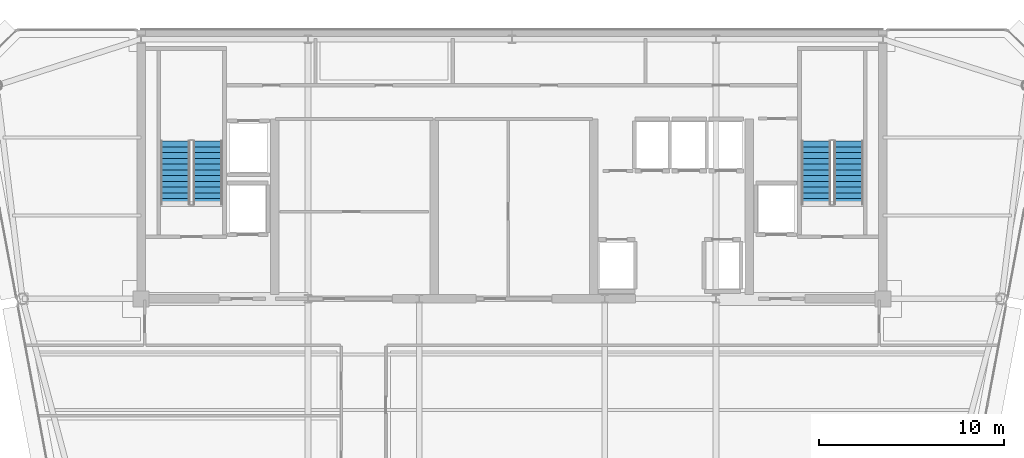
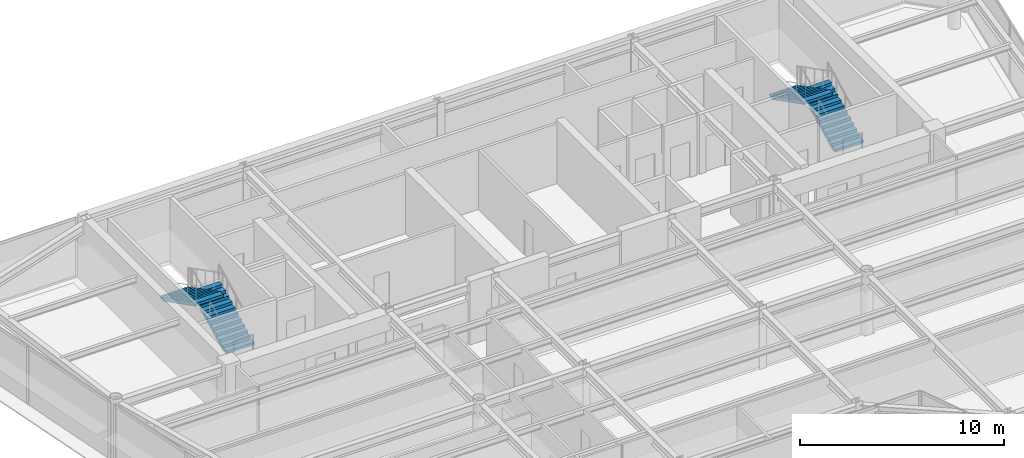
# One storey, part 13 of 20: 4 stair flights, 2 elements without a shape of their own.
"""IFC4 building model written with IfcOpenShell, lengths in metres."""

from ifc_helpers import new_model, si_unit, direction, frame, origin, place, context, subcontext, project, spatial, polyline, outline, extrude, material, type_object, element, aggregate, save


model = new_model("IFC4")

# Units and contexts
model_context = context("Model", 3, precision=1e-05, world=origin(), true_north=direction((0.0, 1.0)))
body_context = subcontext(model_context, "Body", "Model", "MODEL_VIEW")
ifc_project = project(units=[si_unit("LENGTHUNIT", "METRE"), si_unit("AREAUNIT", "SQUARE_METRE"), si_unit("VOLUMEUNIT", "CUBIC_METRE"), si_unit("PLANEANGLEUNIT", "RADIAN"), si_unit("MASSUNIT", "GRAM", prefix="KILO")], contexts=[model_context])

# Site, building, storey
site_placement = place(None, origin())
site = spatial("IfcSite", under=ifc_project, at=site_placement, CompositionType="ELEMENT")
building_placement = place(site_placement, origin())
building = spatial("IfcBuilding", under=site, at=building_placement, Name="Vaeldorn Concourse Tower", CompositionType="ELEMENT")
storey_placement = place(building_placement, frame((0.0, 0.0, 268.800048828125)))
storey = spatial("IfcBuildingStorey", under=building, at=storey_placement, Name="L69", CompositionType="ELEMENT", Elevation=268.800048828125)

# Stair, stair flights
ifc_material = material(Name="Precast concrete C40/50", Category="concrete")
stair_type = type_object("IfcStairType", Name="STR-DOG-24x158", PredefinedType="HALF_TURN_STAIR", material=ifc_material)
stair_1_placement = place(storey_placement, origin())
stair_1 = element("IfcStair", 1, at=stair_1_placement, inside=storey, type_object=stair_type, Name="L69 West Core Exit Stair ST-1", PredefinedType="HALF_TURN_STAIR")
stair_flight_type = type_object("IfcStairFlightType", Name="STF-STR-12x158", PredefinedType="STRAIGHT", material=ifc_material)
stair_flight_1_placement = place(storey_placement, frame((17.60009765625, 41.60009765625, 0.0), z_axis=(0.0, 0.0, 1.0), x_axis=(0.0, 1.0, 0.0)))
stair_flight_1 = element("IfcStairFlight", 2, at=stair_flight_1_placement, type_object=stair_flight_type, Name="ST-1 flight 1", NumberOfRisers=12, NumberOfTreads=11, PredefinedType="STRAIGHT", RiserHeight=0.158333333, TreadLength=0.31, context=body_context, shape_type="SweptSolid", body=[
    extrude(outline(polyline([(0.0, 0.0), (0.0, 0.158447265625), (0.31005859375, 0.158447265625), (0.31005859375, 0.316650390625), (0.6201171875, 0.316650390625), (0.6201171875, 0.47509765625), (0.929931640625, 0.47509765625), (0.929931640625, 0.63330078125), (1.239990234375, 0.63330078125), (1.239990234375, 0.791748046875), (1.550048828125, 0.791748046875), (1.550048828125, 0.949951171875), (1.860107421875, 0.949951171875), (1.860107421875, 1.1083984375), (2.169921875, 1.1083984375), (2.169921875, 1.2666015625), (2.47998046875, 1.2666015625), (2.47998046875, 1.425048828125), (2.7900390625, 1.425048828125), (2.7900390625, 1.583251953125), (3.10009765625, 1.583251953125), (3.10009765625, 1.74169921875), (3.409912109375, 1.74169921875), (3.409912109375, 1.89990234375), (3.409912109375, 1.5732421875), (0.32958984375, 0.0), (0.0, 0.0)])), frame((0.0, 0.800048828125, 0.0), z_axis=(0.0, -1.0, 0.0), x_axis=(1.0, 0.0, 0.0)), (0.0, 0.0, 1.0), 1.60009765625),
])
stair_flight_2_placement = place(storey_placement, frame((15.85009765625, 45.010009765625, 1.89990234375), z_axis=(0.0, 0.0, 1.0), x_axis=(0.0, -1.0, 0.0)))
stair_flight_2 = element("IfcStairFlight", 3, at=stair_flight_2_placement, type_object=stair_flight_type, Name="ST-1 flight 2", NumberOfRisers=12, NumberOfTreads=11, PredefinedType="STRAIGHT", RiserHeight=0.158333333, TreadLength=0.31, context=body_context, shape_type="SweptSolid", body=[
    extrude(outline(polyline([(0.0, 0.0), (0.0, 0.158447265625), (0.31005859375, 0.158447265625), (0.31005859375, 0.316650390625), (0.6201171875, 0.316650390625), (0.6201171875, 0.47509765625), (0.929931640625, 0.47509765625), (0.929931640625, 0.63330078125), (1.239990234375, 0.63330078125), (1.239990234375, 0.791748046875), (1.550048828125, 0.791748046875), (1.550048828125, 0.949951171875), (1.860107421875, 0.949951171875), (1.860107421875, 1.1083984375), (2.169921875, 1.1083984375), (2.169921875, 1.2666015625), (2.47998046875, 1.2666015625), (2.47998046875, 1.425048828125), (2.7900390625, 1.425048828125), (2.7900390625, 1.583251953125), (3.10009765625, 1.583251953125), (3.10009765625, 1.74169921875), (3.409912109375, 1.74169921875), (3.409912109375, 1.89990234375), (3.409912109375, 1.5732421875), (0.32958984375, 0.0), (0.0, 0.0)])), frame((0.0, 0.800048828125, 0.0), z_axis=(0.0, -1.0, 0.0), x_axis=(1.0, 0.0, 0.0)), (0.0, 0.0, 1.0), 1.60009765625),
])
aggregate(stair_1, [stair_flight_1, stair_flight_2])

stair_2_placement = place(storey_placement, origin())
stair_2 = element("IfcStair", 4, at=stair_2_placement, inside=storey, type_object=stair_type, Name="L69 East Core Exit Stair ST-2", PredefinedType="HALF_TURN_STAIR")
stair_flight_3_placement = place(storey_placement, frame((52.14990234375, 41.60009765625, 0.0), z_axis=(0.0, 0.0, 1.0), x_axis=(0.0, 1.0, 0.0)))
stair_flight_3 = element("IfcStairFlight", 5, at=stair_flight_3_placement, type_object=stair_flight_type, Name="ST-2 flight 1", NumberOfRisers=12, NumberOfTreads=11, PredefinedType="STRAIGHT", RiserHeight=0.158333333, TreadLength=0.31, context=body_context, shape_type="SweptSolid", body=[
    extrude(outline(polyline([(0.0, 0.0), (0.0, 0.158447265625), (0.31005859375, 0.158447265625), (0.31005859375, 0.316650390625), (0.6201171875, 0.316650390625), (0.6201171875, 0.47509765625), (0.929931640625, 0.47509765625), (0.929931640625, 0.63330078125), (1.239990234375, 0.63330078125), (1.239990234375, 0.791748046875), (1.550048828125, 0.791748046875), (1.550048828125, 0.949951171875), (1.860107421875, 0.949951171875), (1.860107421875, 1.1083984375), (2.169921875, 1.1083984375), (2.169921875, 1.2666015625), (2.47998046875, 1.2666015625), (2.47998046875, 1.425048828125), (2.7900390625, 1.425048828125), (2.7900390625, 1.583251953125), (3.10009765625, 1.583251953125), (3.10009765625, 1.74169921875), (3.409912109375, 1.74169921875), (3.409912109375, 1.89990234375), (3.409912109375, 1.5732421875), (0.32958984375, 0.0), (0.0, 0.0)])), frame((0.0, 0.800048828125, 0.0), z_axis=(0.0, -1.0, 0.0), x_axis=(1.0, 0.0, 0.0)), (0.0, 0.0, 1.0), 1.60009765625),
])
stair_flight_4_placement = place(storey_placement, frame((50.39990234375, 45.010009765625, 1.89990234375), z_axis=(0.0, 0.0, 1.0), x_axis=(0.0, -1.0, 0.0)))
stair_flight_4 = element("IfcStairFlight", 6, at=stair_flight_4_placement, type_object=stair_flight_type, Name="ST-2 flight 2", NumberOfRisers=12, NumberOfTreads=11, PredefinedType="STRAIGHT", RiserHeight=0.158333333, TreadLength=0.31, context=body_context, shape_type="SweptSolid", body=[
    extrude(outline(polyline([(0.0, 0.0), (0.0, 0.158447265625), (0.31005859375, 0.158447265625), (0.31005859375, 0.316650390625), (0.6201171875, 0.316650390625), (0.6201171875, 0.47509765625), (0.929931640625, 0.47509765625), (0.929931640625, 0.63330078125), (1.239990234375, 0.63330078125), (1.239990234375, 0.791748046875), (1.550048828125, 0.791748046875), (1.550048828125, 0.949951171875), (1.860107421875, 0.949951171875), (1.860107421875, 1.1083984375), (2.169921875, 1.1083984375), (2.169921875, 1.2666015625), (2.47998046875, 1.2666015625), (2.47998046875, 1.425048828125), (2.7900390625, 1.425048828125), (2.7900390625, 1.583251953125), (3.10009765625, 1.583251953125), (3.10009765625, 1.74169921875), (3.409912109375, 1.74169921875), (3.409912109375, 1.89990234375), (3.409912109375, 1.5732421875), (0.32958984375, 0.0), (0.0, 0.0)])), frame((0.0, 0.800048828125, 0.0), z_axis=(0.0, -1.0, 0.0), x_axis=(1.0, 0.0, 0.0)), (0.0, 0.0, 1.0), 1.60009765625),
])
aggregate(stair_2, [stair_flight_3, stair_flight_4])

save(model, "model.ifc")
